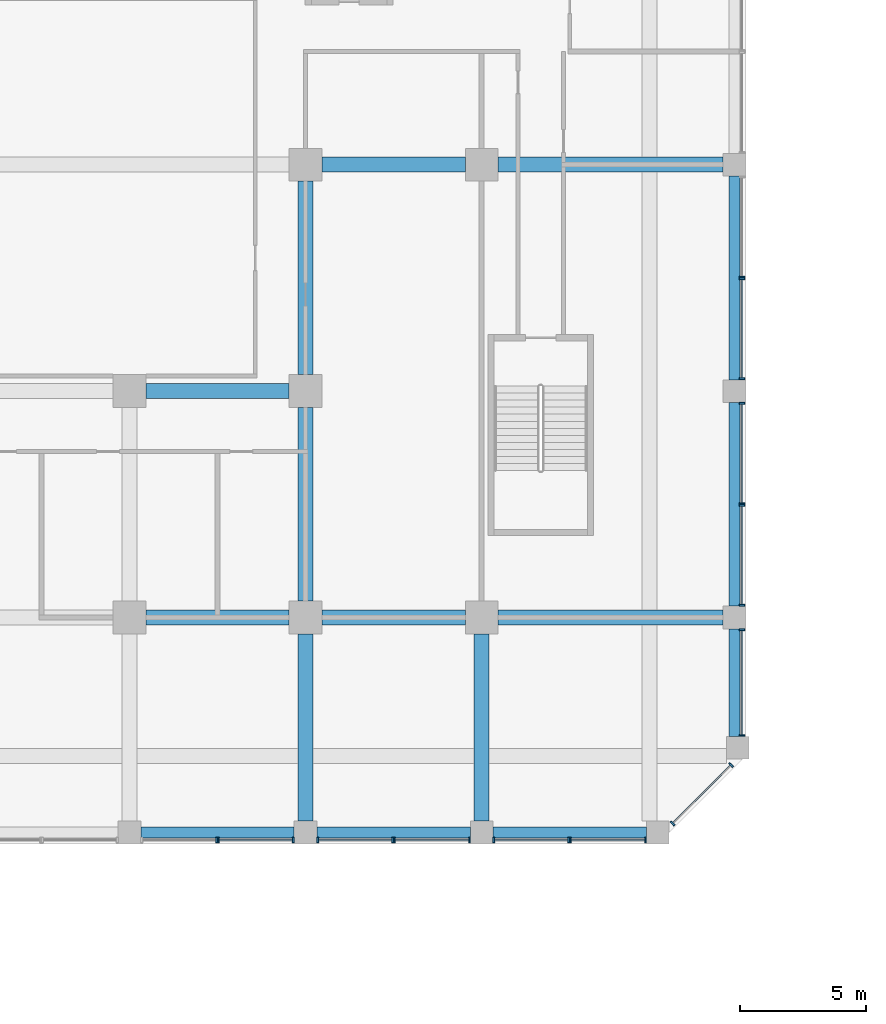
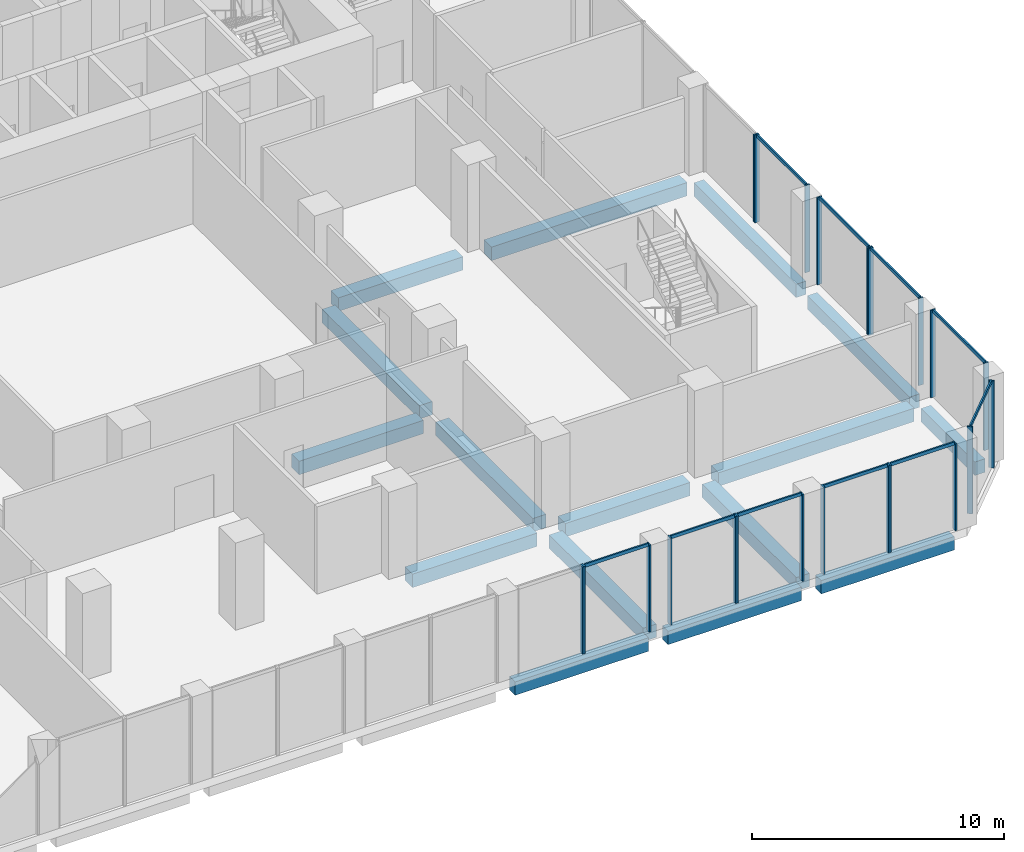
# One storey, part 5 of 35: 32 members, 16 beams, 12 elements without a shape of their own.
"""IFC4 building model written with IfcOpenShell, lengths in metres."""

from ifc_helpers import new_model, si_unit, direction, frame, origin, origin_2d, place, context, subcontext, project, spatial, rectangle, extrude, source, transform, mapped, material, material_profile, profile_set, type_object, element, aggregate, save


model = new_model("IFC4")

# Units and contexts
model_context = context("Model", 3, precision=1e-05, world=origin(), true_north=direction((0.0, 1.0)))
body_context = subcontext(model_context, "Body", "Model", "MODEL_VIEW")
ifc_project = project(units=[si_unit("LENGTHUNIT", "METRE"), si_unit("AREAUNIT", "SQUARE_METRE"), si_unit("VOLUMEUNIT", "CUBIC_METRE"), si_unit("PLANEANGLEUNIT", "RADIAN"), si_unit("MASSUNIT", "GRAM", prefix="KILO")], contexts=[model_context])

# Site, building, storey
site_placement = place(None, origin())
site = spatial("IfcSite", under=ifc_project, at=site_placement, CompositionType="ELEMENT")
building_placement = place(site_placement, origin())
building = spatial("IfcBuilding", under=site, at=building_placement, Name="Kilnfold Tower and Market Hall", CompositionType="ELEMENT")
storey_placement = place(building_placement, frame((0.0, 0.0, 22.5)))
storey = spatial("IfcBuildingStorey", under=building, at=storey_placement, Name="L04", CompositionType="ELEMENT", Elevation=22.5)

# Beams
ifc_material_1 = material(Name="Concrete C45", Category="concrete")
ifc_material_profile_1 = material_profile(ifc_material_1, rectangle(XDim=0.449951171875, YDim=0.64990234375, at=origin_2d()), Name="RC 450x650")
ifc_profile_set_1 = profile_set([ifc_material_profile_1], Name="Concrete C45")
beam_type_1 = type_object("IfcBeamType", Name="EDGE BEAM 450X650 C45", PredefinedType="BEAM", material=ifc_profile_set_1)
shared_shape_1 = source(origin(), body_context, "Body", "SweptSolid", [
    extrude(rectangle(XDim=0.449951171875, YDim=0.64990234375, at=origin_2d()), origin(), (0.0, 0.0, 1.0), 6.10009765625),
])
for number, where, z_axis, x_axis, name in (
    (1, (3.949951171875, -27.550048828125, -0.72509765625), (1.0, 0.0, 0.0), (0.0, 1.0, 0.0), "Beam EB650-B1.4"),
    (2, (10.949951171875, -27.550048828125, -0.72509765625), (1.0, 0.0, 0.0), (0.0, 1.0, 0.0), "Beam EB650-B1.5"),
    (3, (17.949951171875, -27.550048828125, -0.72509765625), (1.0, 0.0, 0.0), (0.0, 1.0, 0.0), "Beam EB650-B1.6"),
):
    element("IfcBeam", number, at=place(storey_placement, frame(where, z_axis=z_axis, x_axis=x_axis)), inside=storey, type_object=beam_type_1, Name=name, PredefinedType="BEAM", context=body_context, shape_type="MappedRepresentation", body=[
        mapped(shared_shape_1, transform((0.0, 0.0, 0.0))),
    ])
ifc_material_2 = material(Name="Concrete C45", Category="concrete")
ifc_material_profile_2 = material_profile(ifc_material_2, rectangle(XDim=0.60009765625, YDim=0.64990234375, at=origin_2d()), Name="RC 600x650")
ifc_profile_set_2 = profile_set([ifc_material_profile_2], Name="Concrete C45")
beam_type_2 = type_object("IfcBeamType", Name="BEAM 600X650 C45", PredefinedType="BEAM", material=ifc_profile_set_2)
shared_shape_2 = source(origin(), body_context, "Body", "SweptSolid", [
    extrude(rectangle(XDim=0.60009765625, YDim=0.64990234375, at=origin_2d()), origin(), (0.0, 0.0, 1.0), 8.9501953125),
])
for number, where, z_axis, x_axis, name in (
    (4, (18.14990234375, -19.0, -0.72509765625), (1.0, 0.0, 0.0), (0.0, 1.0, 0.0), "Beam BB650-B1.12"),
    (5, (18.14990234375, -1.0, -0.72509765625), (1.0, 0.0, 0.0), (0.0, 1.0, 0.0), "Beam BB650-B1.20"),
):
    element("IfcBeam", number, at=place(storey_placement, frame(where, z_axis=z_axis, x_axis=x_axis)), inside=storey, type_object=beam_type_2, Name=name, PredefinedType="BEAM", context=body_context, shape_type="MappedRepresentation", body=[
        mapped(shared_shape_2, transform((0.0, 0.0, 0.0))),
    ])
shared_shape_3 = source(origin(), body_context, "Body", "SweptSolid", [
    extrude(rectangle(XDim=0.60009765625, YDim=0.64990234375, at=origin_2d()), origin(), (0.0, 0.0, 1.0), 5.7001953125),
])
for number, where, z_axis, x_axis, name in (
    (6, (4.14990234375, -19.0, -0.72509765625), (1.0, 0.0, 0.0), (0.0, 1.0, 0.0), "Beam BB650-B1.10"),
    (7, (11.14990234375, -19.0, -0.72509765625), (1.0, 0.0, 0.0), (0.0, 1.0, 0.0), "Beam BB650-B1.11"),
    (8, (4.14990234375, -10.0, -0.72509765625), (1.0, 0.0, 0.0), (0.0, 1.0, 0.0), "Beam BB650-B1.15"),
    (9, (11.14990234375, -1.0, -0.72509765625), (1.0, 0.0, 0.0), (0.0, 1.0, 0.0), "Beam BB650-B1.19"),
):
    element("IfcBeam", number, at=place(storey_placement, frame(where, z_axis=z_axis, x_axis=x_axis)), inside=storey, type_object=beam_type_2, Name=name, PredefinedType="BEAM", context=body_context, shape_type="MappedRepresentation", body=[
        mapped(shared_shape_3, transform((0.0, 0.0, 0.0))),
    ])
shared_shape_4 = source(origin(), body_context, "Body", "SweptSolid", [
    extrude(rectangle(XDim=0.449951171875, YDim=0.64990234375, at=origin_2d()), origin(), (0.0, 0.0, 1.0), 8.10009765625),
])
for number, where, z_axis, x_axis, name in (
    (10, (27.550048828125, -18.550048828125, -0.72509765625), (0.0, 1.0, 0.0), (-1.0, 0.0, 0.0), "Beam EB650-B1.52"),
    (11, (27.550048828125, -9.550048828125, -0.72509765625), (0.0, 1.0, 0.0), (-1.0, 0.0, 0.0), "Beam EB650-B1.58"),
):
    element("IfcBeam", number, at=place(storey_placement, frame(where, z_axis=z_axis, x_axis=x_axis)), inside=storey, type_object=beam_type_1, Name=name, PredefinedType="BEAM", context=body_context, shape_type="MappedRepresentation", body=[
        mapped(shared_shape_4, transform((0.0, 0.0, 0.0))),
    ])
shared_shape_5 = source(origin(), body_context, "Body", "SweptSolid", [
    extrude(rectangle(XDim=0.60009765625, YDim=0.64990234375, at=origin_2d()), origin(), (0.0, 0.0, 1.0), 7.4501953125),
])
for number, where, z_axis, x_axis, name in (
    (12, (10.5, -27.10009765625, -0.72509765625), (0.0, 1.0, 0.0), (-1.0, 0.0, 0.0), "Beam BB650-B1.47"),
    (13, (17.5, -27.10009765625, -0.72509765625), (0.0, 1.0, 0.0), (-1.0, 0.0, 0.0), "Beam BB650-B1.50"),
):
    element("IfcBeam", number, at=place(storey_placement, frame(where, z_axis=z_axis, x_axis=x_axis)), inside=storey, type_object=beam_type_2, Name=name, PredefinedType="BEAM", context=body_context, shape_type="MappedRepresentation", body=[
        mapped(shared_shape_5, transform((0.0, 0.0, 0.0))),
    ])
shared_shape_6 = source(origin(), body_context, "Body", "SweptSolid", [
    extrude(rectangle(XDim=0.60009765625, YDim=0.64990234375, at=origin_2d()), origin(), (0.0, 0.0, 1.0), 7.7001953125),
])
for number, where, z_axis, x_axis, name in (
    (14, (10.5, -18.35009765625, -0.72509765625), (0.0, 1.0, 0.0), (-1.0, 0.0, 0.0), "Beam BB650-B1.48"),
    (15, (10.5, -9.35009765625, -0.72509765625), (0.0, 1.0, 0.0), (-1.0, 0.0, 0.0), "Beam BB650-B1.49"),
):
    element("IfcBeam", number, at=place(storey_placement, frame(where, z_axis=z_axis, x_axis=x_axis)), inside=storey, type_object=beam_type_2, Name=name, PredefinedType="BEAM", context=body_context, shape_type="MappedRepresentation", body=[
        mapped(shared_shape_6, transform((0.0, 0.0, 0.0))),
    ])
shared_shape_7 = source(origin(), body_context, "Body", "SweptSolid", [
    extrude(rectangle(XDim=0.449951171875, YDim=0.64990234375, at=origin_2d()), origin(), (0.0, 0.0, 1.0), 4.28173828125),
])
beam_placement = place(storey_placement, frame((27.550048828125, -23.731689453125, -0.72509765625), z_axis=(0.0, 1.0, 0.0), x_axis=(-1.0, 0.0, 0.0)))
element("IfcBeam", 16, at=beam_placement, inside=storey, type_object=beam_type_1, Name="Beam EB650-B1.51", PredefinedType="BEAM", context=body_context, shape_type="MappedRepresentation", body=[
    mapped(shared_shape_7, transform((0.0, 0.0, 0.0))),
])

# Curtain wall, member
ifc_material_3 = material(Name="Aluminium and double glazing", Category="aluminium")
curtain_wall_type = type_object("IfcCurtainWallType", Name="CW BASE PODIUM GLAZING", PredefinedType="NOTDEFINED", material=ifc_material_3)
curtain_wall_1_placement = place(storey_placement, origin())
curtain_wall_1 = element("IfcCurtainWall", 17, at=curtain_wall_1_placement, inside=storey, type_object=curtain_wall_type, Name="Curtain wall CW4 L04 S", PredefinedType="NOTDEFINED")
ifc_material_4 = material(Name="Aluminium", Category="aluminium")
ifc_material_profile_3 = material_profile(ifc_material_4, rectangle(XDim=0.070068359375, YDim=0.159912109375, at=origin_2d()), Name="TRANSOM 70x160")
ifc_profile_set_3 = profile_set([ifc_material_profile_3], Name="Aluminium")
member_type_1 = type_object("IfcMemberType", Name="TRANSOM 70X160", PredefinedType="USERDEFINED", material=ifc_profile_set_3)
shared_shape_8 = source(origin(), body_context, "Body", "SweptSolid", [
    extrude(rectangle(XDim=0.070068359375, YDim=0.159912109375, at=origin_2d()), origin(), (0.0, 0.0, 1.0), 2.909912109375),
])
member_1_placement = place(storey_placement, frame((7.070068359375, -27.85009765625, 4.18505859375), z_axis=(1.0, 0.0, 0.0), x_axis=(0.0, 1.0, 0.0)))
member_1 = element("IfcMember", 18, at=member_1_placement, type_object=member_type_1, Name="CW4 transom 1.2", ObjectType="TRANSOM", PredefinedType="USERDEFINED", context=body_context, shape_type="MappedRepresentation", body=[
    mapped(shared_shape_8, transform((0.0, 0.0, 0.0))),
])

curtain_wall_2_placement = place(storey_placement, origin())
curtain_wall_2 = element("IfcCurtainWall", 19, at=curtain_wall_2_placement, inside=storey, type_object=curtain_wall_type, Name="Curtain wall CW4 L04 S", PredefinedType="NOTDEFINED")
member_2_placement = place(storey_placement, frame((11.02001953125, -27.85009765625, 4.18505859375), z_axis=(1.0, 0.0, 0.0), x_axis=(0.0, 1.0, 0.0)))
member_2 = element("IfcMember", 20, at=member_2_placement, type_object=member_type_1, Name="CW4 transom 1.2", ObjectType="TRANSOM", PredefinedType="USERDEFINED", context=body_context, shape_type="MappedRepresentation", body=[
    mapped(shared_shape_8, transform((0.0, 0.0, 0.0))),
])

curtain_wall_3_placement = place(storey_placement, origin())
curtain_wall_3 = element("IfcCurtainWall", 21, at=curtain_wall_3_placement, inside=storey, type_object=curtain_wall_type, Name="Curtain wall CW4 L04 S", PredefinedType="NOTDEFINED")
member_3_placement = place(storey_placement, frame((14.070068359375, -27.85009765625, 4.18505859375), z_axis=(1.0, 0.0, 0.0), x_axis=(0.0, 1.0, 0.0)))
member_3 = element("IfcMember", 22, at=member_3_placement, type_object=member_type_1, Name="CW4 transom 1.2", ObjectType="TRANSOM", PredefinedType="USERDEFINED", context=body_context, shape_type="MappedRepresentation", body=[
    mapped(shared_shape_8, transform((0.0, 0.0, 0.0))),
])

curtain_wall_4_placement = place(storey_placement, origin())
curtain_wall_4 = element("IfcCurtainWall", 23, at=curtain_wall_4_placement, inside=storey, type_object=curtain_wall_type, Name="Curtain wall CW4 L04 S", PredefinedType="NOTDEFINED")
member_4_placement = place(storey_placement, frame((18.02001953125, -27.85009765625, 4.18505859375), z_axis=(1.0, 0.0, 0.0), x_axis=(0.0, 1.0, 0.0)))
member_4 = element("IfcMember", 24, at=member_4_placement, type_object=member_type_1, Name="CW4 transom 1.2", ObjectType="TRANSOM", PredefinedType="USERDEFINED", context=body_context, shape_type="MappedRepresentation", body=[
    mapped(shared_shape_8, transform((0.0, 0.0, 0.0))),
])

curtain_wall_5_placement = place(storey_placement, origin())
curtain_wall_5 = element("IfcCurtainWall", 25, at=curtain_wall_5_placement, inside=storey, type_object=curtain_wall_type, Name="Curtain wall CW4 L04 S", PredefinedType="NOTDEFINED")
member_5_placement = place(storey_placement, frame((21.070068359375, -27.85009765625, 4.18505859375), z_axis=(1.0, 0.0, 0.0), x_axis=(0.0, 1.0, 0.0)))
member_5 = element("IfcMember", 26, at=member_5_placement, type_object=member_type_1, Name="CW4 transom 1.2", ObjectType="TRANSOM", PredefinedType="USERDEFINED", context=body_context, shape_type="MappedRepresentation", body=[
    mapped(shared_shape_8, transform((0.0, 0.0, 0.0))),
])

curtain_wall_6_placement = place(storey_placement, origin())
curtain_wall_6 = element("IfcCurtainWall", 27, at=curtain_wall_6_placement, inside=storey, type_object=curtain_wall_type, Name="Curtain wall CW4 L04 E", PredefinedType="NOTDEFINED")
shared_shape_9 = source(origin(), body_context, "Body", "SweptSolid", [
    extrude(rectangle(XDim=0.070068359375, YDim=0.159912109375, at=origin_2d()), origin(), (0.0, 0.0, 1.0), 3.909912109375),
])
member_6_placement = place(storey_placement, frame((27.85009765625, -18.47998046875, 4.18505859375), z_axis=(0.0, 1.0, 0.0), x_axis=(-1.0, 0.0, 0.0)))
member_6 = element("IfcMember", 28, at=member_6_placement, type_object=member_type_1, Name="CW4 transom 1.2", ObjectType="TRANSOM", PredefinedType="USERDEFINED", context=body_context, shape_type="MappedRepresentation", body=[
    mapped(shared_shape_9, transform((0.0, 0.0, 0.0))),
])

curtain_wall_7_placement = place(storey_placement, origin())
curtain_wall_7 = element("IfcCurtainWall", 29, at=curtain_wall_7_placement, inside=storey, type_object=curtain_wall_type, Name="Curtain wall CW4 L04 E", PredefinedType="NOTDEFINED")
member_7_placement = place(storey_placement, frame((27.85009765625, -14.429931640625, 4.18505859375), z_axis=(0.0, 1.0, 0.0), x_axis=(-1.0, 0.0, 0.0)))
member_7 = element("IfcMember", 30, at=member_7_placement, type_object=member_type_1, Name="CW4 transom 1.2", ObjectType="TRANSOM", PredefinedType="USERDEFINED", context=body_context, shape_type="MappedRepresentation", body=[
    mapped(shared_shape_9, transform((0.0, 0.0, 0.0))),
])

curtain_wall_8_placement = place(storey_placement, origin())
curtain_wall_8 = element("IfcCurtainWall", 31, at=curtain_wall_8_placement, inside=storey, type_object=curtain_wall_type, Name="Curtain wall CW4 L04 E", PredefinedType="NOTDEFINED")
member_8_placement = place(storey_placement, frame((27.85009765625, -9.47998046875, 4.18505859375), z_axis=(0.0, 1.0, 0.0), x_axis=(-1.0, 0.0, 0.0)))
member_8 = element("IfcMember", 32, at=member_8_placement, type_object=member_type_1, Name="CW4 transom 1.2", ObjectType="TRANSOM", PredefinedType="USERDEFINED", context=body_context, shape_type="MappedRepresentation", body=[
    mapped(shared_shape_9, transform((0.0, 0.0, 0.0))),
])

curtain_wall_9_placement = place(storey_placement, origin())
curtain_wall_9 = element("IfcCurtainWall", 33, at=curtain_wall_9_placement, inside=storey, type_object=curtain_wall_type, Name="Curtain wall CW4 L04 SE", PredefinedType="NOTDEFINED")
shared_shape_10 = source(origin(), body_context, "Body", "SweptSolid", [
    extrude(rectangle(XDim=0.070068359375, YDim=0.159912109375, at=origin_2d()), origin(), (0.0, 0.0, 1.0), 3.218994140625),
])
member_9_placement = place(storey_placement, frame((25.118408203125, -27.16943359375, 4.18505859375), z_axis=(0.707106781187, 0.707106781187, 0.0), x_axis=(-0.707106781187, 0.707106781187, 0.0)))
member_9 = element("IfcMember", 34, at=member_9_placement, type_object=member_type_1, Name="CW4 transom 1.2", ObjectType="TRANSOM", PredefinedType="USERDEFINED", context=body_context, shape_type="MappedRepresentation", body=[
    mapped(shared_shape_10, transform((0.0, 0.0, 0.0))),
])

curtain_wall_10_placement = place(storey_placement, origin())
curtain_wall_10 = element("IfcCurtainWall", 35, at=curtain_wall_10_placement, inside=storey, type_object=curtain_wall_type, Name="Curtain wall CW4 L04 E", PredefinedType="NOTDEFINED")
shared_shape_11 = source(origin(), body_context, "Body", "SweptSolid", [
    extrude(rectangle(XDim=0.070068359375, YDim=0.159912109375, at=origin_2d()), origin(), (0.0, 0.0, 1.0), 4.141845703125),
])
member_10_placement = place(storey_placement, frame((27.85009765625, -23.661865234375, 4.18505859375), z_axis=(0.0, 1.0, 0.0), x_axis=(-1.0, 0.0, 0.0)))
member_10 = element("IfcMember", 36, at=member_10_placement, type_object=member_type_1, Name="CW4 transom 1.2", ObjectType="TRANSOM", PredefinedType="USERDEFINED", context=body_context, shape_type="MappedRepresentation", body=[
    mapped(shared_shape_11, transform((0.0, 0.0, 0.0))),
])

curtain_wall_11_placement = place(storey_placement, origin())
curtain_wall_11 = element("IfcCurtainWall", 37, at=curtain_wall_11_placement, inside=storey, type_object=curtain_wall_type, Name="Curtain wall CW4 L04 S", PredefinedType="NOTDEFINED")
ifc_material_5 = material(Name="Aluminium", Category="aluminium")
ifc_material_profile_4 = material_profile(ifc_material_5, rectangle(XDim=0.070068359375, YDim=0.219970703125, at=origin_2d()), Name="MULLION 70x220")
ifc_profile_set_4 = profile_set([ifc_material_profile_4], Name="Aluminium")
member_type_2 = type_object("IfcMemberType", Name="MULLION 70X220", PredefinedType="MULLION", material=ifc_profile_set_4)
shared_shape_12 = source(origin(), body_context, "Body", "SweptSolid", [
    extrude(rectangle(XDim=0.070068359375, YDim=0.219970703125, at=origin_2d()), origin(), (0.0, 0.0, 1.0), 4.219970703125),
])
member_11_placement = place(storey_placement, frame((6.965087890625, -27.85009765625, 0.0), z_axis=(0.0, 0.0, 1.0), x_axis=(1.0, 0.0, 0.0)))
member_11 = element("IfcMember", 38, at=member_11_placement, type_object=member_type_2, Name="CW4 mullion 2", PredefinedType="MULLION", context=body_context, shape_type="MappedRepresentation", body=[
    mapped(shared_shape_12, transform((0.0, 0.0, 0.0))),
])
aggregate(curtain_wall_11, [member_11])

# Member
member_12_placement = place(storey_placement, frame((7.034912109375, -27.85009765625, 0.0), z_axis=(0.0, 0.0, 1.0), x_axis=(1.0, 0.0, 0.0)))
member_12 = element("IfcMember", 39, at=member_12_placement, type_object=member_type_2, Name="CW4 mullion 1", PredefinedType="MULLION", context=body_context, shape_type="MappedRepresentation", body=[
    mapped(shared_shape_12, transform((0.0, 0.0, 0.0))),
])

member_13_placement = place(storey_placement, frame((10.014892578125, -27.85009765625, 0.0), z_axis=(0.0, 0.0, 1.0), x_axis=(1.0, 0.0, 0.0)))
member_13 = element("IfcMember", 40, at=member_13_placement, type_object=member_type_2, Name="CW4 mullion 2", PredefinedType="MULLION", context=body_context, shape_type="MappedRepresentation", body=[
    mapped(shared_shape_12, transform((0.0, 0.0, 0.0))),
])

aggregate(curtain_wall_1, [member_12, member_13, member_1])

member_14_placement = place(storey_placement, frame((10.985107421875, -27.85009765625, 0.0), z_axis=(0.0, 0.0, 1.0), x_axis=(1.0, 0.0, 0.0)))
member_14 = element("IfcMember", 41, at=member_14_placement, type_object=member_type_2, Name="CW4 mullion 1", PredefinedType="MULLION", context=body_context, shape_type="MappedRepresentation", body=[
    mapped(shared_shape_12, transform((0.0, 0.0, 0.0))),
])

member_15_placement = place(storey_placement, frame((13.965087890625, -27.85009765625, 0.0), z_axis=(0.0, 0.0, 1.0), x_axis=(1.0, 0.0, 0.0)))
member_15 = element("IfcMember", 42, at=member_15_placement, type_object=member_type_2, Name="CW4 mullion 2", PredefinedType="MULLION", context=body_context, shape_type="MappedRepresentation", body=[
    mapped(shared_shape_12, transform((0.0, 0.0, 0.0))),
])

aggregate(curtain_wall_2, [member_14, member_15, member_2])

member_16_placement = place(storey_placement, frame((14.034912109375, -27.85009765625, 0.0), z_axis=(0.0, 0.0, 1.0), x_axis=(1.0, 0.0, 0.0)))
member_16 = element("IfcMember", 43, at=member_16_placement, type_object=member_type_2, Name="CW4 mullion 1", PredefinedType="MULLION", context=body_context, shape_type="MappedRepresentation", body=[
    mapped(shared_shape_12, transform((0.0, 0.0, 0.0))),
])

member_17_placement = place(storey_placement, frame((17.014892578125, -27.85009765625, 0.0), z_axis=(0.0, 0.0, 1.0), x_axis=(1.0, 0.0, 0.0)))
member_17 = element("IfcMember", 44, at=member_17_placement, type_object=member_type_2, Name="CW4 mullion 2", PredefinedType="MULLION", context=body_context, shape_type="MappedRepresentation", body=[
    mapped(shared_shape_12, transform((0.0, 0.0, 0.0))),
])

aggregate(curtain_wall_3, [member_16, member_17, member_3])

member_18_placement = place(storey_placement, frame((17.985107421875, -27.85009765625, 0.0), z_axis=(0.0, 0.0, 1.0), x_axis=(1.0, 0.0, 0.0)))
member_18 = element("IfcMember", 45, at=member_18_placement, type_object=member_type_2, Name="CW4 mullion 1", PredefinedType="MULLION", context=body_context, shape_type="MappedRepresentation", body=[
    mapped(shared_shape_12, transform((0.0, 0.0, 0.0))),
])

member_19_placement = place(storey_placement, frame((20.965087890625, -27.85009765625, 0.0), z_axis=(0.0, 0.0, 1.0), x_axis=(1.0, 0.0, 0.0)))
member_19 = element("IfcMember", 46, at=member_19_placement, type_object=member_type_2, Name="CW4 mullion 2", PredefinedType="MULLION", context=body_context, shape_type="MappedRepresentation", body=[
    mapped(shared_shape_12, transform((0.0, 0.0, 0.0))),
])

aggregate(curtain_wall_4, [member_18, member_19, member_4])

member_20_placement = place(storey_placement, frame((21.034912109375, -27.85009765625, 0.0), z_axis=(0.0, 0.0, 1.0), x_axis=(1.0, 0.0, 0.0)))
member_20 = element("IfcMember", 47, at=member_20_placement, type_object=member_type_2, Name="CW4 mullion 1", PredefinedType="MULLION", context=body_context, shape_type="MappedRepresentation", body=[
    mapped(shared_shape_12, transform((0.0, 0.0, 0.0))),
])

member_21_placement = place(storey_placement, frame((24.014892578125, -27.85009765625, 0.0), z_axis=(0.0, 0.0, 1.0), x_axis=(1.0, 0.0, 0.0)))
member_21 = element("IfcMember", 48, at=member_21_placement, type_object=member_type_2, Name="CW4 mullion 2", PredefinedType="MULLION", context=body_context, shape_type="MappedRepresentation", body=[
    mapped(shared_shape_12, transform((0.0, 0.0, 0.0))),
])

aggregate(curtain_wall_5, [member_20, member_21, member_5])

member_22_placement = place(storey_placement, frame((25.09375, -27.194091796875, 0.0), z_axis=(0.0, 0.0, 1.0), x_axis=(0.707121667181, 0.707091894879, 0.0)))
member_22 = element("IfcMember", 49, at=member_22_placement, type_object=member_type_2, Name="CW4 mullion 1", PredefinedType="MULLION", context=body_context, shape_type="MappedRepresentation", body=[
    mapped(shared_shape_12, transform((0.0, 0.0, 0.0))),
])

member_23_placement = place(storey_placement, frame((27.419189453125, -24.86865234375, 0.0), z_axis=(0.0, 0.0, 1.0), x_axis=(0.707121667181, 0.707091894879, 0.0)))
member_23 = element("IfcMember", 50, at=member_23_placement, type_object=member_type_2, Name="CW4 mullion 2", PredefinedType="MULLION", context=body_context, shape_type="MappedRepresentation", body=[
    mapped(shared_shape_12, transform((0.0, 0.0, 0.0))),
])

aggregate(curtain_wall_9, [member_22, member_23, member_9])

member_24_placement = place(storey_placement, frame((27.85009765625, -23.69677734375, 0.0), z_axis=(0.0, 0.0, 1.0), x_axis=(0.0, 1.0, 0.0)))
member_24 = element("IfcMember", 51, at=member_24_placement, type_object=member_type_2, Name="CW4 mullion 1", PredefinedType="MULLION", context=body_context, shape_type="MappedRepresentation", body=[
    mapped(shared_shape_12, transform((0.0, 0.0, 0.0))),
])

member_25_placement = place(storey_placement, frame((27.85009765625, -19.485107421875, 0.0), z_axis=(0.0, 0.0, 1.0), x_axis=(0.0, 1.0, 0.0)))
member_25 = element("IfcMember", 52, at=member_25_placement, type_object=member_type_2, Name="CW4 mullion 2", PredefinedType="MULLION", context=body_context, shape_type="MappedRepresentation", body=[
    mapped(shared_shape_12, transform((0.0, 0.0, 0.0))),
])

aggregate(curtain_wall_10, [member_24, member_25, member_10])

member_26_placement = place(storey_placement, frame((27.85009765625, -18.514892578125, 0.0), z_axis=(0.0, 0.0, 1.0), x_axis=(0.0, 1.0, 0.0)))
member_26 = element("IfcMember", 53, at=member_26_placement, type_object=member_type_2, Name="CW4 mullion 1", PredefinedType="MULLION", context=body_context, shape_type="MappedRepresentation", body=[
    mapped(shared_shape_12, transform((0.0, 0.0, 0.0))),
])

member_27_placement = place(storey_placement, frame((27.85009765625, -14.534912109375, 0.0), z_axis=(0.0, 0.0, 1.0), x_axis=(0.0, 1.0, 0.0)))
member_27 = element("IfcMember", 54, at=member_27_placement, type_object=member_type_2, Name="CW4 mullion 2", PredefinedType="MULLION", context=body_context, shape_type="MappedRepresentation", body=[
    mapped(shared_shape_12, transform((0.0, 0.0, 0.0))),
])

aggregate(curtain_wall_6, [member_26, member_27, member_6])

member_28_placement = place(storey_placement, frame((27.85009765625, -14.465087890625, 0.0), z_axis=(0.0, 0.0, 1.0), x_axis=(0.0, 1.0, 0.0)))
member_28 = element("IfcMember", 55, at=member_28_placement, type_object=member_type_2, Name="CW4 mullion 1", PredefinedType="MULLION", context=body_context, shape_type="MappedRepresentation", body=[
    mapped(shared_shape_12, transform((0.0, 0.0, 0.0))),
])

member_29_placement = place(storey_placement, frame((27.85009765625, -10.485107421875, 0.0), z_axis=(0.0, 0.0, 1.0), x_axis=(0.0, 1.0, 0.0)))
member_29 = element("IfcMember", 56, at=member_29_placement, type_object=member_type_2, Name="CW4 mullion 2", PredefinedType="MULLION", context=body_context, shape_type="MappedRepresentation", body=[
    mapped(shared_shape_12, transform((0.0, 0.0, 0.0))),
])

aggregate(curtain_wall_7, [member_28, member_29, member_7])

member_30_placement = place(storey_placement, frame((27.85009765625, -9.514892578125, 0.0), z_axis=(0.0, 0.0, 1.0), x_axis=(0.0, 1.0, 0.0)))
member_30 = element("IfcMember", 57, at=member_30_placement, type_object=member_type_2, Name="CW4 mullion 1", PredefinedType="MULLION", context=body_context, shape_type="MappedRepresentation", body=[
    mapped(shared_shape_12, transform((0.0, 0.0, 0.0))),
])

member_31_placement = place(storey_placement, frame((27.85009765625, -5.534912109375, 0.0), z_axis=(0.0, 0.0, 1.0), x_axis=(0.0, 1.0, 0.0)))
member_31 = element("IfcMember", 58, at=member_31_placement, type_object=member_type_2, Name="CW4 mullion 2", PredefinedType="MULLION", context=body_context, shape_type="MappedRepresentation", body=[
    mapped(shared_shape_12, transform((0.0, 0.0, 0.0))),
])

aggregate(curtain_wall_8, [member_30, member_31, member_8])

# Curtain wall, member
curtain_wall_12_placement = place(storey_placement, origin())
curtain_wall_12 = element("IfcCurtainWall", 59, at=curtain_wall_12_placement, inside=storey, type_object=curtain_wall_type, Name="Curtain wall CW4 L04 E", PredefinedType="NOTDEFINED")
member_32_placement = place(storey_placement, frame((27.85009765625, -5.465087890625, 0.0), z_axis=(0.0, 0.0, 1.0), x_axis=(0.0, 1.0, 0.0)))
member_32 = element("IfcMember", 60, at=member_32_placement, type_object=member_type_2, Name="CW4 mullion 1", PredefinedType="MULLION", context=body_context, shape_type="MappedRepresentation", body=[
    mapped(shared_shape_12, transform((0.0, 0.0, 0.0))),
])
aggregate(curtain_wall_12, [member_32])

save(model, "model.ifc")
